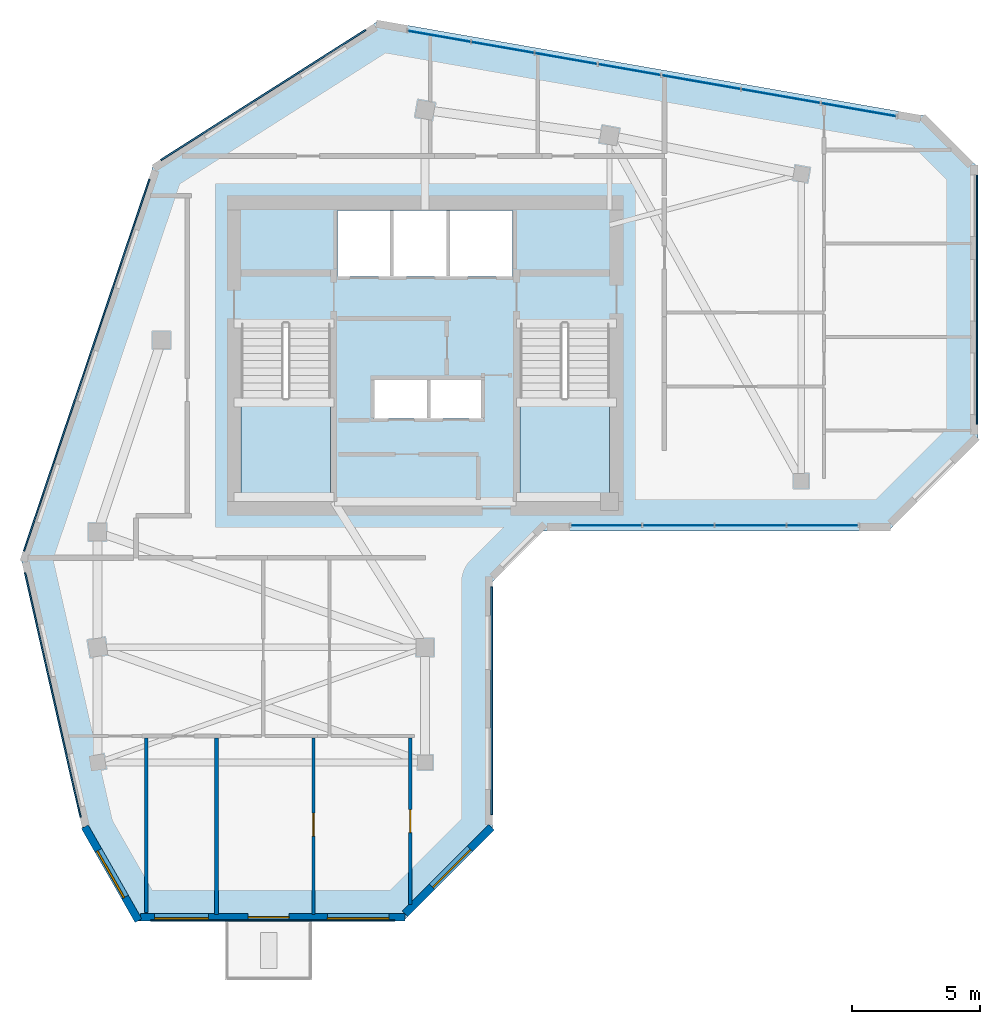
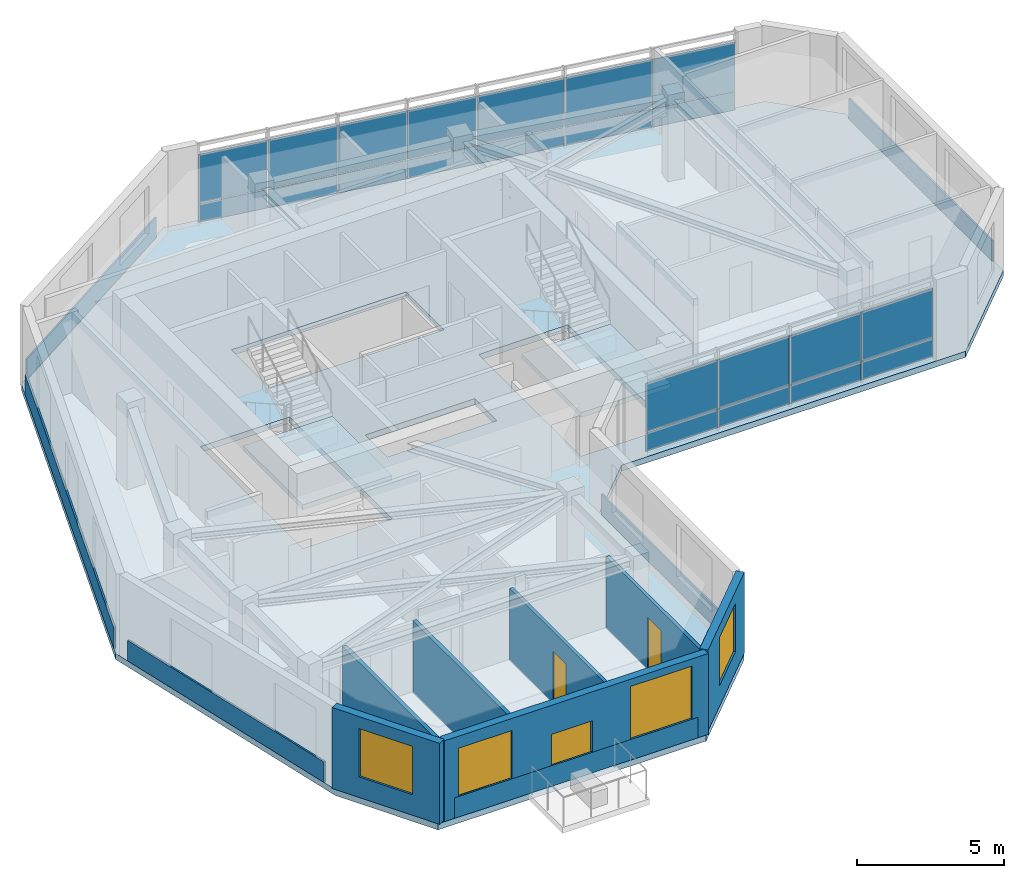
# One storey, part 3 of 10: 28 plates, 7 walls, 4 windows, 3 doors, 3 slabs, 7 openings, 4 elements without a shape of their own.
"""IFC4 building model written with IfcOpenShell, lengths in metres."""

from ifc_helpers import new_model, si_unit, direction, frame, frame_2d, origin, place, context, subcontext, project, spatial, polyline, rectangle, outline, extrude, source, transform, mapped, material, layer, layer_set, type_object, element, fill, aggregate, save


model = new_model("IFC4")

# Units and contexts
model_context = context("Model", 3, precision=1e-05, world=origin(), true_north=direction((0.0, 1.0)))
body_context = subcontext(model_context, "Body", "Model", "MODEL_VIEW")
ifc_project = project(units=[si_unit("LENGTHUNIT", "METRE"), si_unit("AREAUNIT", "SQUARE_METRE"), si_unit("VOLUMEUNIT", "CUBIC_METRE"), si_unit("PLANEANGLEUNIT", "RADIAN"), si_unit("MASSUNIT", "GRAM", prefix="KILO")], contexts=[model_context])

# Site, building, storey
site_placement = place(None, origin())
site = spatial("IfcSite", under=ifc_project, at=site_placement, CompositionType="ELEMENT")
building_placement = place(site_placement, origin())
building = spatial("IfcBuilding", under=site, at=building_placement, Name="Calvemar Wedge Station Tower", CompositionType="ELEMENT")
storey_placement = place(building_placement, frame((0.0, 0.0, 252.89990234375)))
storey = spatial("IfcBuildingStorey", under=building, at=storey_placement, Name="L64", CompositionType="ELEMENT", Elevation=252.89990234375)

# Curtain wall, plates
ifc_material_1 = material(Name="Anodised aluminium 6063-T6", Category="aluminium")
curtain_wall_type = type_object("IfcCurtainWallType", Name="CW4", PredefinedType="NOTDEFINED", material=ifc_material_1)
curtain_wall_1_placement = place(storey_placement, origin())
curtain_wall_1 = element("IfcCurtainWall", 1, at=curtain_wall_1_placement, inside=storey, type_object=curtain_wall_type, Name="Storey L64 CW4 Recessed Unitised Curtain Wall 6", PredefinedType="NOTDEFINED")
ifc_material_2 = material(Name="Low-E laminated insulated glass", Category="glass")
ifc_layer_1 = layer(ifc_material_2, 0.028076171875)
ifc_layer_set_1 = layer_set([ifc_layer_1], Name="Low-E laminated insulated glass")
plate_type_1 = type_object("IfcPlateType", Name="CW4-GLZ", PredefinedType="CURTAIN_PANEL", material=ifc_layer_set_1)
plate_1_placement = place(storey_placement, frame((29.48779296875, 33.26611328125, 0.8701171875), z_axis=(0.0, 0.0, 1.0), x_axis=(1.0, 0.0, 0.0)))
plate_1 = element("IfcPlate", 2, at=plate_1_placement, type_object=plate_type_1, Name="CW4 vision glass panel 1", PredefinedType="CURTAIN_PANEL", context=body_context, shape_type="SweptSolid", body=[
    extrude(rectangle(XDim=2.781005859375, YDim=0.028076171875, at=frame_2d((1.390625, 0.0))), origin(), (0.0, 0.0, 1.0), 2.010009765625),
])
plate_2_placement = place(storey_placement, frame((32.304931640625, 33.26611328125, 0.8701171875), z_axis=(0.0, 0.0, 1.0), x_axis=(1.0, 0.0, 0.0)))
plate_2 = element("IfcPlate", 3, at=plate_2_placement, type_object=plate_type_1, Name="CW4 vision glass panel 2", PredefinedType="CURTAIN_PANEL", context=body_context, shape_type="SweptSolid", body=[
    extrude(rectangle(XDim=2.781005859375, YDim=0.028076171875, at=frame_2d((1.390625, 0.0))), origin(), (0.0, 0.0, 1.0), 2.010009765625),
])
plate_3_placement = place(storey_placement, frame((35.121826171875, 33.26611328125, 0.8701171875), z_axis=(0.0, 0.0, 1.0), x_axis=(1.0, 0.0, 0.0)))
plate_3 = element("IfcPlate", 4, at=plate_3_placement, type_object=plate_type_1, Name="CW4 vision glass panel 3", PredefinedType="CURTAIN_PANEL", context=body_context, shape_type="SweptSolid", body=[
    extrude(rectangle(XDim=2.781005859375, YDim=0.028076171875, at=frame_2d((1.390625, 0.0))), origin(), (0.0, 0.0, 1.0), 2.010009765625),
])
plate_4_placement = place(storey_placement, frame((37.93896484375, 33.26611328125, 0.8701171875), z_axis=(0.0, 0.0, 1.0), x_axis=(1.0, 0.0, 0.0)))
plate_4 = element("IfcPlate", 5, at=plate_4_placement, type_object=plate_type_1, Name="CW4 vision glass panel 4", PredefinedType="CURTAIN_PANEL", context=body_context, shape_type="SweptSolid", body=[
    extrude(rectangle(XDim=2.781005859375, YDim=0.028076171875, at=frame_2d((1.390625, 0.0))), origin(), (0.0, 0.0, 1.0), 2.010009765625),
])

curtain_wall_2_placement = place(storey_placement, origin())
curtain_wall_2 = element("IfcCurtainWall", 6, at=curtain_wall_2_placement, inside=storey, type_object=curtain_wall_type, Name="Storey L64 CW4 Recessed Unitised Curtain Wall 10", PredefinedType="NOTDEFINED")
plate_5_placement = place(storey_placement, frame((42.2158203125, 49.25, 0.8701171875), z_axis=(0.0, 0.0, 1.0), x_axis=(-0.985039826474, 0.172326841378, 0.0)))
plate_5 = element("IfcPlate", 7, at=plate_5_placement, type_object=plate_type_1, Name="CW4 vision glass panel 1", PredefinedType="CURTAIN_PANEL", context=body_context, shape_type="SweptSolid", body=[
    extrude(rectangle(XDim=2.9892578125, YDim=0.028076171875, at=frame_2d((1.49462890625, 0.0))), origin(), (0.0, 0.0, 1.0), 2.010009765625),
])
plate_6_placement = place(storey_placement, frame((39.23583984375, 49.771484375, 0.8701171875), z_axis=(0.0, 0.0, 1.0), x_axis=(-0.985045707379, 0.172293222078, 0.0)))
plate_6 = element("IfcPlate", 8, at=plate_6_placement, type_object=plate_type_1, Name="CW4 vision glass panel 2", PredefinedType="CURTAIN_PANEL", context=body_context, shape_type="SweptSolid", body=[
    extrude(rectangle(XDim=3.12744140625, YDim=0.028076171875, at=frame_2d((1.563720703125, 0.0))), origin(), (0.0, 0.0, 1.0), 2.010009765625),
])
plate_7_placement = place(storey_placement, frame((36.119873046875, 50.31640625, 0.8701171875), z_axis=(0.0, 0.0, 1.0), x_axis=(-0.985032455421, 0.17236896985, 0.0)))
plate_7 = element("IfcPlate", 9, at=plate_7_placement, type_object=plate_type_1, Name="CW4 vision glass panel 3", PredefinedType="CURTAIN_PANEL", context=body_context, shape_type="SweptSolid", body=[
    extrude(rectangle(XDim=3.12744140625, YDim=0.028076171875, at=frame_2d((1.563720703125, 0.0))), origin(), (0.0, 0.0, 1.0), 2.010009765625),
])
plate_8_placement = place(storey_placement, frame((33.00390625, 50.861572265625, 0.8701171875), z_axis=(0.0, 0.0, 1.0), x_axis=(-0.985043436117, 0.172306206978, 0.0)))
plate_8 = element("IfcPlate", 10, at=plate_8_placement, type_object=plate_type_1, Name="CW4 vision glass panel 4", PredefinedType="CURTAIN_PANEL", context=body_context, shape_type="SweptSolid", body=[
    extrude(rectangle(XDim=2.476806640625, YDim=0.028076171875, at=frame_2d((1.23828125, 0.0))), origin(), (0.0, 0.0, 1.0), 2.010009765625),
])
plate_9_placement = place(storey_placement, frame((30.52880859375, 51.294677734375, 0.8701171875), z_axis=(0.0, 0.0, 1.0), x_axis=(-0.985040509104, 0.172322939343, 0.0)))
plate_9 = element("IfcPlate", 11, at=plate_9_placement, type_object=plate_type_1, Name="CW4 vision glass panel 5", PredefinedType="CURTAIN_PANEL", context=body_context, shape_type="SweptSolid", body=[
    extrude(rectangle(XDim=2.4765625, YDim=0.028076171875, at=frame_2d((1.23828125, 0.0))), origin(), (0.0, 0.0, 1.0), 2.010009765625),
])
plate_10_placement = place(storey_placement, frame((28.053955078125, 51.7275390625, 0.8701171875), z_axis=(0.0, 0.0, 1.0), x_axis=(-0.985028799202, 0.172389862645, 0.0)))
plate_10 = element("IfcPlate", 12, at=plate_10_placement, type_object=plate_type_1, Name="CW4 vision glass panel 6", PredefinedType="CURTAIN_PANEL", context=body_context, shape_type="SweptSolid", body=[
    extrude(rectangle(XDim=2.4853515625, YDim=0.028076171875, at=frame_2d((1.24267578125, 0.0))), origin(), (0.0, 0.0, 1.0), 2.010009765625),
])
plate_11_placement = place(storey_placement, frame((25.5703125, 52.162109375, 0.8701171875), z_axis=(0.0, 0.0, 1.0), x_axis=(-0.985039641183, 0.172327900522, 0.0)))
plate_11 = element("IfcPlate", 13, at=plate_11_placement, type_object=plate_type_1, Name="CW4 vision glass panel 7", PredefinedType="CURTAIN_PANEL", context=body_context, shape_type="SweptSolid", body=[
    extrude(rectangle(XDim=2.48486328125, YDim=0.028076171875, at=frame_2d((1.242431640625, 0.0))), origin(), (0.0, 0.0, 1.0), 2.010009765625),
])

# Plate
ifc_material_3 = material(Name="Oxidized bronze aluminium spandrel panel 5005-H24", Category="aluminium")
ifc_layer_2 = layer(ifc_material_3, 0.0400390625)
ifc_layer_set_2 = layer_set([ifc_layer_2], Name="Oxidized bronze aluminium spandrel panel 5005-H24")
plate_type_2 = type_object("IfcPlateType", Name="CW4-SPD", PredefinedType="SHEET", material=ifc_layer_set_2)
plate_12_placement = place(storey_placement, frame((29.48779296875, 33.26611328125, 0.080078125), z_axis=(0.0, 0.0, 1.0), x_axis=(1.0, 0.0, 0.0)))
plate_12 = element("IfcPlate", 14, at=plate_12_placement, type_object=plate_type_2, Name="CW4 bronze spandrel panel 1", PredefinedType="SHEET", context=body_context, shape_type="SweptSolid", body=[
    extrude(rectangle(XDim=2.781005859375, YDim=0.0400390625, at=frame_2d((1.390625, 0.0))), origin(), (0.0, 0.0, 1.0), 0.75),
])

plate_13_placement = place(storey_placement, frame((32.304931640625, 33.26611328125, 0.080078125), z_axis=(0.0, 0.0, 1.0), x_axis=(1.0, 0.0, 0.0)))
plate_13 = element("IfcPlate", 15, at=plate_13_placement, type_object=plate_type_2, Name="CW4 bronze spandrel panel 2", PredefinedType="SHEET", context=body_context, shape_type="SweptSolid", body=[
    extrude(rectangle(XDim=2.781005859375, YDim=0.0400390625, at=frame_2d((1.390625, 0.0))), origin(), (0.0, 0.0, 1.0), 0.75),
])

plate_14_placement = place(storey_placement, frame((35.121826171875, 33.26611328125, 0.080078125), z_axis=(0.0, 0.0, 1.0), x_axis=(1.0, 0.0, 0.0)))
plate_14 = element("IfcPlate", 16, at=plate_14_placement, type_object=plate_type_2, Name="CW4 bronze spandrel panel 3", PredefinedType="SHEET", context=body_context, shape_type="SweptSolid", body=[
    extrude(rectangle(XDim=2.781005859375, YDim=0.0400390625, at=frame_2d((1.390625, 0.0))), origin(), (0.0, 0.0, 1.0), 0.75),
])

plate_15_placement = place(storey_placement, frame((37.93896484375, 33.26611328125, 0.080078125), z_axis=(0.0, 0.0, 1.0), x_axis=(1.0, 0.0, 0.0)))
plate_15 = element("IfcPlate", 17, at=plate_15_placement, type_object=plate_type_2, Name="CW4 bronze spandrel panel 4", PredefinedType="SHEET", context=body_context, shape_type="SweptSolid", body=[
    extrude(rectangle(XDim=2.781005859375, YDim=0.0400390625, at=frame_2d((1.390625, 0.0))), origin(), (0.0, 0.0, 1.0), 0.75),
])

aggregate(curtain_wall_1, [plate_12, plate_1, plate_13, plate_2, plate_14, plate_3, plate_15, plate_4])

plate_16_placement = place(storey_placement, frame((42.2158203125, 49.25, 0.080078125), z_axis=(0.0, 0.0, 1.0), x_axis=(-0.985039826474, 0.172326841378, 0.0)))
plate_16 = element("IfcPlate", 18, at=plate_16_placement, type_object=plate_type_2, Name="CW4 bronze spandrel panel 1", PredefinedType="SHEET", context=body_context, shape_type="SweptSolid", body=[
    extrude(rectangle(XDim=2.9892578125, YDim=0.0400390625, at=frame_2d((1.49462890625, 0.0))), origin(), (0.0, 0.0, 1.0), 0.75),
])

plate_17_placement = place(storey_placement, frame((39.23583984375, 49.771484375, 0.080078125), z_axis=(0.0, 0.0, 1.0), x_axis=(-0.985045707379, 0.172293222078, 0.0)))
plate_17 = element("IfcPlate", 19, at=plate_17_placement, type_object=plate_type_2, Name="CW4 bronze spandrel panel 2", PredefinedType="SHEET", context=body_context, shape_type="SweptSolid", body=[
    extrude(rectangle(XDim=3.12744140625, YDim=0.0400390625, at=frame_2d((1.563720703125, 0.0))), origin(), (0.0, 0.0, 1.0), 0.75),
])

plate_18_placement = place(storey_placement, frame((36.119873046875, 50.31640625, 0.080078125), z_axis=(0.0, 0.0, 1.0), x_axis=(-0.985032455421, 0.17236896985, 0.0)))
plate_18 = element("IfcPlate", 20, at=plate_18_placement, type_object=plate_type_2, Name="CW4 bronze spandrel panel 3", PredefinedType="SHEET", context=body_context, shape_type="SweptSolid", body=[
    extrude(rectangle(XDim=3.12744140625, YDim=0.0400390625, at=frame_2d((1.563720703125, 0.0))), origin(), (0.0, 0.0, 1.0), 0.75),
])

plate_19_placement = place(storey_placement, frame((33.00390625, 50.861572265625, 0.080078125), z_axis=(0.0, 0.0, 1.0), x_axis=(-0.985043436117, 0.172306206978, 0.0)))
plate_19 = element("IfcPlate", 21, at=plate_19_placement, type_object=plate_type_2, Name="CW4 bronze spandrel panel 4", PredefinedType="SHEET", context=body_context, shape_type="SweptSolid", body=[
    extrude(rectangle(XDim=2.476806640625, YDim=0.0400390625, at=frame_2d((1.23828125, 0.0))), origin(), (0.0, 0.0, 1.0), 0.75),
])

plate_20_placement = place(storey_placement, frame((30.52880859375, 51.294677734375, 0.080078125), z_axis=(0.0, 0.0, 1.0), x_axis=(-0.985040509104, 0.172322939343, 0.0)))
plate_20 = element("IfcPlate", 22, at=plate_20_placement, type_object=plate_type_2, Name="CW4 bronze spandrel panel 5", PredefinedType="SHEET", context=body_context, shape_type="SweptSolid", body=[
    extrude(rectangle(XDim=2.4765625, YDim=0.0400390625, at=frame_2d((1.23828125, 0.0))), origin(), (0.0, 0.0, 1.0), 0.75),
])

plate_21_placement = place(storey_placement, frame((28.053955078125, 51.7275390625, 0.080078125), z_axis=(0.0, 0.0, 1.0), x_axis=(-0.985028799202, 0.172389862645, 0.0)))
plate_21 = element("IfcPlate", 23, at=plate_21_placement, type_object=plate_type_2, Name="CW4 bronze spandrel panel 6", PredefinedType="SHEET", context=body_context, shape_type="SweptSolid", body=[
    extrude(rectangle(XDim=2.4853515625, YDim=0.0400390625, at=frame_2d((1.24267578125, 0.0))), origin(), (0.0, 0.0, 1.0), 0.75),
])

plate_22_placement = place(storey_placement, frame((25.5703125, 52.162109375, 0.080078125), z_axis=(0.0, 0.0, 1.0), x_axis=(-0.985039641183, 0.172327900522, 0.0)))
plate_22 = element("IfcPlate", 24, at=plate_22_placement, type_object=plate_type_2, Name="CW4 bronze spandrel panel 7", PredefinedType="SHEET", context=body_context, shape_type="SweptSolid", body=[
    extrude(rectangle(XDim=2.48486328125, YDim=0.0400390625, at=frame_2d((1.242431640625, 0.0))), origin(), (0.0, 0.0, 1.0), 0.75),
])

aggregate(curtain_wall_2, [plate_16, plate_5, plate_17, plate_6, plate_18, plate_7, plate_19, plate_8, plate_20, plate_9, plate_21, plate_10, plate_22, plate_11])

# Plates
ifc_material_4 = material(Name="Precast concrete C45", Category="concrete")
ifc_layer_3 = layer(ifc_material_4, 0.06494140625)
ifc_layer_set_3 = layer_set([ifc_layer_3], Name="Precast concrete C45")
plate_type_3 = type_object("IfcPlateType", Name="PL-GFRC-FIN", PredefinedType="USERDEFINED", material=ifc_layer_set_3)
plate_23_placement = place(storey_placement, frame((13.077880859375, 17.830078125, 0.0), z_axis=(0.0, 0.0, 1.0), x_axis=(1.0, 0.0, 0.0)))
element("IfcPlate", 25, at=plate_23_placement, inside=storey, type_object=plate_type_3, Name="Storey L64 Oxidized-Bronze GFRC Spandrel Cladding 2", ObjectType="CLADDING PANEL", PredefinedType="USERDEFINED", context=body_context, shape_type="SweptSolid", body=[
    extrude(rectangle(XDim=9.5419921875, YDim=0.06494140625, at=frame_2d((4.77099609375, 0.0))), origin(), (0.0, 0.0, 1.0), 0.85009765625),
])
plate_24_placement = place(storey_placement, frame((26.402099609375, 21.957275390625, 0.0), z_axis=(0.0, 0.0, 1.0), x_axis=(0.0, 1.0, 0.0)))
element("IfcPlate", 26, at=plate_24_placement, inside=storey, type_object=plate_type_3, Name="Storey L64 Oxidized-Bronze GFRC Spandrel Cladding 4", ObjectType="CLADDING PANEL", PredefinedType="USERDEFINED", context=body_context, shape_type="SweptSolid", body=[
    extrude(rectangle(XDim=8.910888671875, YDim=0.06494140625, at=frame_2d((4.45556640625, 0.0))), origin(), (0.0, 0.0, 1.0), 0.85009765625),
])
plate_25_placement = place(storey_placement, frame((45.3701171875, 37.21337890625, 0.0), z_axis=(0.0, 0.0, 1.0), x_axis=(0.0, 1.0, 0.0)))
element("IfcPlate", 27, at=plate_25_placement, inside=storey, type_object=plate_type_3, Name="Storey L64 Oxidized-Bronze GFRC Spandrel Cladding 8", ObjectType="CLADDING PANEL", PredefinedType="USERDEFINED", context=body_context, shape_type="SweptSolid", body=[
    extrude(rectangle(XDim=9.73046875, YDim=0.06494140625, at=frame_2d((4.865234375, 0.0))), origin(), (0.0, 0.0, 1.0), 0.85009765625),
])
plate_26_placement = place(storey_placement, frame((21.471923828125, 52.62841796875, 0.0), z_axis=(0.0, 0.0, 1.0), x_axis=(-0.843661487732, -0.536875492193, 0.0)))
element("IfcPlate", 28, at=plate_26_placement, inside=storey, type_object=plate_type_3, Name="Storey L64 Oxidized-Bronze GFRC Spandrel Cladding 11", ObjectType="CLADDING PANEL", PredefinedType="USERDEFINED", context=body_context, shape_type="SweptSolid", body=[
    extrude(rectangle(XDim=9.482666015625, YDim=0.06494140625, at=frame_2d((4.7412109375, 0.0))), origin(), (0.0, 0.0, 1.0), 0.85009765625),
])
plate_27_placement = place(storey_placement, frame((13.02685546875, 46.793212890625, 0.0), z_axis=(0.0, 0.0, 1.0), x_axis=(-0.319927671566, -0.947441969181, 0.0)))
element("IfcPlate", 29, at=plate_27_placement, inside=storey, type_object=plate_type_3, Name="Storey L64 Oxidized-Bronze GFRC Spandrel Cladding 12", ObjectType="CLADDING PANEL", PredefinedType="USERDEFINED", context=body_context, shape_type="SweptSolid", body=[
    extrude(rectangle(XDim=15.331787109375, YDim=0.06494140625, at=frame_2d((7.666015625, 0.0))), origin(), (0.0, 0.0, 1.0), 0.85009765625),
])
plate_28_placement = place(storey_placement, frame((8.1630859375, 31.41748046875, 0.0), z_axis=(0.0, 0.0, 1.0), x_axis=(0.221645863547, -0.975127228198, 0.0)))
element("IfcPlate", 30, at=plate_28_placement, inside=storey, type_object=plate_type_3, Name="Storey L64 Oxidized-Bronze GFRC Spandrel Cladding 13", ObjectType="CLADDING PANEL", PredefinedType="USERDEFINED", context=body_context, shape_type="SweptSolid", body=[
    extrude(rectangle(XDim=9.80224609375, YDim=0.06494140625, at=frame_2d((4.901123046875, 0.0))), origin(), (0.0, 0.0, 1.0), 0.85009765625),
])

# Stair, slab
ifc_material_5 = material(Name="Concrete C45", Category="concrete")
stair_type = type_object("IfcStairType", Name="ST-TYPE-3600", PredefinedType="HALF_TURN_STAIR", material=ifc_material_5)
stair_1_placement = place(storey_placement, origin())
stair_1 = element("IfcStair", 31, at=stair_1_placement, inside=storey, type_object=stair_type, Name="L64 Pressurized Core Exit Stair ST-C1", PredefinedType="HALF_TURN_STAIR")
ifc_layer_4 = layer(ifc_material_5, 0.199951171875)
ifc_layer_set_4 = layer_set([ifc_layer_4], Name="Concrete C45")
slab_type_1 = type_object("IfcSlabType", Name="SL-STAIR-LND-200", PredefinedType="LANDING", material=ifc_layer_set_4)
slab_1_placement = place(storey_placement, frame((0.0, 0.0, 1.60009765625)))
slab_1 = element("IfcSlab", 32, at=slab_1_placement, type_object=slab_type_1, Name="ST-C1 landing 1", PredefinedType="LANDING", context=body_context, shape_type="SweptSolid", body=[
    extrude(outline(polyline([(16.60009765625, 38.25), (16.60009765625, 34.199951171875), (20.10009765625, 34.199951171875), (20.10009765625, 38.25), (16.60009765625, 38.25)])), origin(), (0.0, 0.0, 1.0), 0.199951171875),
])
aggregate(stair_1, [slab_1])

stair_2_placement = place(storey_placement, origin())
stair_2 = element("IfcStair", 33, at=stair_2_placement, inside=storey, type_object=stair_type, Name="L64 Pressurized Core Exit Stair ST-C2", PredefinedType="HALF_TURN_STAIR")
slab_2_placement = place(storey_placement, frame((0.0, 0.0, 1.60009765625)))
slab_2 = element("IfcSlab", 34, at=slab_2_placement, type_object=slab_type_1, Name="ST-C2 landing 1", PredefinedType="LANDING", context=body_context, shape_type="SweptSolid", body=[
    extrude(outline(polyline([(27.5, 38.25), (27.5, 34.199951171875), (31.0, 34.199951171875), (31.0, 38.25), (27.5, 38.25)])), origin(), (0.0, 0.0, 1.0), 0.199951171875),
])
aggregate(stair_2, [slab_2])

# Slab
ifc_material_6 = material(Name="Concrete C50", Category="concrete")
ifc_layer_5 = layer(ifc_material_6, 0.25)
ifc_layer_set_5 = layer_set([ifc_layer_5], Name="Concrete C50")
slab_type_2 = type_object("IfcSlabType", Name="SL-TYP-250", PredefinedType="FLOOR", material=ifc_layer_set_5)
slab_3_placement = place(storey_placement, frame((0.0, 0.0, -0.25)))
element("IfcSlab", 35, at=slab_3_placement, inside=storey, type_object=slab_type_2, Name="Storey L64 Structural Floor Slab", PredefinedType="FLOOR", context=body_context, shape_type="SweptSolid", body=[
    extrude(outline(polyline([(8.0, 32.0), (10.431884765625, 21.300048828125), (12.431884765625, 17.800048828125), (22.931884765625, 17.800048828125), (26.431884765625, 21.300048828125), (26.431884765625, 31.055908203125), (28.431884765625, 33.055908203125), (41.89990234375, 33.055908203125), (45.39990234375, 36.555908203125), (45.39990234375, 47.256103515625), (43.39990234375, 49.256103515625), (22.0, 53.0), (13.199951171875, 47.39990234375), (8.0, 32.0)]), holes=[polyline([(20.10009765625, 34.199951171875), (20.10009765625, 41.14990234375), (16.60009765625, 41.14990234375), (16.60009765625, 34.199951171875), (20.10009765625, 34.199951171875)]), polyline([(31.0, 34.199951171875), (31.0, 41.14990234375), (27.5, 41.14990234375), (27.5, 34.199951171875), (31.0, 34.199951171875)]), polyline([(23.929931640625, 38.949951171875), (21.7900390625, 38.949951171875), (21.7900390625, 37.449951171875), (23.929931640625, 37.449951171875), (23.93994140625, 37.449951171875), (26.080078125, 37.449951171875), (26.080078125, 38.949951171875), (23.93994140625, 38.949951171875), (23.929931640625, 38.949951171875)]), polyline([(27.219970703125, 43.0), (27.219970703125, 45.580078125), (20.3798828125, 45.580078125), (20.3798828125, 43.0), (27.219970703125, 43.0)])]), origin(), (0.0, 0.0, 1.0), 0.25),
])

# Wall, opening, window
ifc_layer_6 = layer(ifc_material_4, 0.300048828125)
ifc_layer_set_6 = layer_set([ifc_layer_6], Name="Precast concrete C45")
wall_type_1 = type_object("IfcWallType", Name="W-EXT-GFRC-300", PredefinedType="SOLIDWALL", material=ifc_layer_set_6)
wall_1_placement = place(storey_placement, frame((10.498779296875, 21.4853515625, 0.0), z_axis=(0.0, 0.0, 1.0), x_axis=(0.496163848656, -0.868228907194, 0.0)))
wall_1 = element("IfcWall", 36, at=wall_1_placement, inside=storey, type_object=wall_type_1, Name="Storey L64 Bronze GFRC Exterior Wall 1", PredefinedType="SOLIDWALL", context=body_context, shape_type="SweptSolid", body=[
    extrude(rectangle(XDim=4.221923828125, YDim=0.300048828125, at=frame_2d((2.11083984375, 0.0))), origin(), (0.0, 0.0, 1.0), 3.35009765625),
])
shared_shape_1 = source(origin(), body_context, "Body", "SweptSolid", [
    extrude(rectangle(XDim=2.10009765625, YDim=2.0, at=frame_2d((1.050048828125, 1.0))), frame((0.0, 0.16015625, 0.0), z_axis=(0.0, -1.0, 0.0), x_axis=(1.0, 0.0, 0.0)), (0.0, 0.0, 1.0), 0.320068359375),
])
opening_1_placement = place(wall_1_placement, frame((1.06103515625, 0.0, 0.85009765625)))
opening_1 = element("IfcOpeningElement", 37, at=opening_1_placement, cuts=wall_1, Name="Opening W4", PredefinedType="OPENING", context=body_context, shape_type="MappedRepresentation", body=[
    mapped(shared_shape_1, transform((0.0, 0.0, 0.0), scale=1.0)),
])
window_type_1 = type_object("IfcWindowType", Name="WIN-EXT-4", PartitioningType="SINGLE_PANEL", PredefinedType="WINDOW", material=ifc_material_2)
shared_shape_2 = source(origin(), body_context, "Body", "SweptSolid", [
    extrude(rectangle(XDim=2.10009765625, YDim=2.0, at=frame_2d((1.050048828125, 1.0))), frame((0.0, -0.014892578125, 0.0), z_axis=(0.0, -1.0, 0.0), x_axis=(1.0, 0.0, 0.0)), (0.0, 0.0, 1.0), 0.06005859375),
])
window_1_placement = place(opening_1_placement, origin())
window_1 = element("IfcWindow", 38, at=window_1_placement, inside=storey, type_object=window_type_1, Name="Storey L64 Recessed Window 1.1", OverallHeight=2.0, OverallWidth=2.10009765625, PartitioningType="SINGLE_PANEL", PredefinedType="WINDOW", context=body_context, shape_type="MappedRepresentation", body=[
    mapped(shared_shape_2, transform((0.0, 0.0, 0.0), scale=1.0)),
])
fill(opening_1, window_1)

# Wall, openings, windows, door
wall_2_placement = place(storey_placement, frame((12.677978515625, 17.949951171875, 0.0), z_axis=(0.0, 0.0, 1.0), x_axis=(1.0, 0.0, 0.0)))
wall_2 = element("IfcWall", 39, at=wall_2_placement, inside=storey, type_object=wall_type_1, Name="Storey L64 Bronze GFRC Exterior Wall 2", PredefinedType="SOLIDWALL", context=body_context, shape_type="SweptSolid", body=[
    extrude(rectangle(XDim=10.342041015625, YDim=0.300048828125, at=frame_2d((5.1708984375, 0.0))), origin(), (0.0, 0.0, 1.0), 3.35009765625),
])
shared_shape_3 = source(origin(), body_context, "Body", "SweptSolid", [
    extrude(rectangle(XDim=1.60009765625, YDim=2.14990234375, at=frame_2d((0.800048828125, 1.074951171875))), frame((0.0, 0.16015625, 0.0), z_axis=(0.0, -1.0, 0.0), x_axis=(1.0, 0.0, 0.0)), (0.0, 0.0, 1.0), 0.320068359375),
])
opening_2_placement = place(wall_2_placement, frame((4.2041015625, 0.0, 0.0)))
opening_2 = element("IfcOpeningElement", 40, at=opening_2_placement, cuts=wall_2, Name="Opening DT1", PredefinedType="OPENING", context=body_context, shape_type="MappedRepresentation", body=[
    mapped(shared_shape_3, transform((0.0, 0.0, 0.0), scale=1.0)),
])
opening_3_placement = place(wall_2_placement, frame((0.547119140625, 0.0, 0.85009765625)))
opening_3 = element("IfcOpeningElement", 41, at=opening_3_placement, cuts=wall_2, Name="Opening W4", PredefinedType="OPENING", context=body_context, shape_type="MappedRepresentation", body=[
    mapped(shared_shape_1, transform((0.0, 0.0, 0.0), scale=1.0)),
])
shared_shape_4 = source(origin(), body_context, "Body", "SweptSolid", [
    extrude(rectangle(XDim=2.39990234375, YDim=2.199951171875, at=frame_2d((1.199951171875, 1.10009765625))), frame((0.0, 0.16015625, 0.0), z_axis=(0.0, -1.0, 0.0), x_axis=(1.0, 0.0, 0.0)), (0.0, 0.0, 1.0), 0.320068359375),
])
opening_4_placement = place(wall_2_placement, frame((7.299072265625, 0.0, 0.85009765625)))
opening_4 = element("IfcOpeningElement", 42, at=opening_4_placement, cuts=wall_2, Name="Opening W1", PredefinedType="OPENING", context=body_context, shape_type="MappedRepresentation", body=[
    mapped(shared_shape_4, transform((0.0, 0.0, 0.0), scale=1.0)),
])
window_2_placement = place(opening_3_placement, origin())
window_2 = element("IfcWindow", 43, at=window_2_placement, inside=storey, type_object=window_type_1, Name="Storey L64 Recessed Window 2.1", OverallHeight=2.0, OverallWidth=2.10009765625, PartitioningType="SINGLE_PANEL", PredefinedType="WINDOW", context=body_context, shape_type="MappedRepresentation", body=[
    mapped(shared_shape_2, transform((0.0, 0.0, 0.0), scale=1.0)),
])
fill(opening_3, window_2)
window_type_2 = type_object("IfcWindowType", Name="WIN-EXT-1", PartitioningType="SINGLE_PANEL", PredefinedType="WINDOW", material=ifc_material_2)
shared_shape_5 = source(origin(), body_context, "Body", "SweptSolid", [
    extrude(rectangle(XDim=2.39990234375, YDim=2.199951171875, at=frame_2d((1.199951171875, 1.10009765625))), frame((0.0, -0.014892578125, 0.0), z_axis=(0.0, -1.0, 0.0), x_axis=(1.0, 0.0, 0.0)), (0.0, 0.0, 1.0), 0.06005859375),
])
window_3_placement = place(opening_4_placement, origin())
window_3 = element("IfcWindow", 44, at=window_3_placement, inside=storey, type_object=window_type_2, Name="Storey L64 Recessed Window 2.2", OverallHeight=2.199951171875, OverallWidth=2.39990234375, PartitioningType="SINGLE_PANEL", PredefinedType="WINDOW", context=body_context, shape_type="MappedRepresentation", body=[
    mapped(shared_shape_5, transform((0.0, 0.0, 0.0), scale=1.0)),
])
fill(opening_4, window_3)
door_type_1 = type_object("IfcDoorType", Name="DR-TERR-1600", OperationType="DOUBLE_DOOR_SLIDING", PredefinedType="DOOR", material=ifc_material_1)
shared_shape_6 = source(origin(), body_context, "Body", "SweptSolid", [
    extrude(rectangle(XDim=1.60009765625, YDim=2.14990234375, at=frame_2d((0.800048828125, 1.074951171875))), frame((0.0, 0.02490234375, 0.0), z_axis=(0.0, -1.0, 0.0), x_axis=(1.0, 0.0, 0.0)), (0.0, 0.0, 1.0), 0.050048828125),
])
door_1_placement = place(opening_2_placement, origin())
door_1 = element("IfcDoor", 45, at=door_1_placement, inside=storey, type_object=door_type_1, Name="Storey L64 Spiral Terrace Door", OperationType="DOUBLE_DOOR_SLIDING", OverallHeight=2.14990234375, OverallWidth=1.60009765625, PredefinedType="DOOR", context=body_context, shape_type="MappedRepresentation", body=[
    mapped(shared_shape_6, transform((0.0, 0.0, 0.0), scale=1.0)),
])
fill(opening_2, door_1)

# Wall, opening, window
wall_3_placement = place(storey_placement, frame((23.0078125, 18.087890625, 0.0), z_axis=(0.0, 0.0, 1.0), x_axis=(0.707106781187, 0.707106781187, 0.0)))
wall_3 = element("IfcWall", 46, at=wall_3_placement, inside=storey, type_object=wall_type_1, Name="Storey L64 Bronze GFRC Exterior Wall 3", PredefinedType="SOLIDWALL", context=body_context, shape_type="SweptSolid", body=[
    extrude(rectangle(XDim=4.780517578125, YDim=0.300048828125, at=frame_2d((2.39013671875, 0.0))), origin(), (0.0, 0.0, 1.0), 3.35009765625),
])
opening_5_placement = place(wall_3_placement, frame((1.49609375, 0.0, 0.85009765625)))
opening_5 = element("IfcOpeningElement", 47, at=opening_5_placement, cuts=wall_3, Name="Opening W4", PredefinedType="OPENING", context=body_context, shape_type="MappedRepresentation", body=[
    mapped(shared_shape_1, transform((0.0, 0.0, 0.0), scale=1.0)),
])
window_4_placement = place(opening_5_placement, origin())
window_4 = element("IfcWindow", 48, at=window_4_placement, inside=storey, type_object=window_type_1, Name="Storey L64 Recessed Window 3.1", OverallHeight=2.0, OverallWidth=2.10009765625, PartitioningType="SINGLE_PANEL", PredefinedType="WINDOW", context=body_context, shape_type="MappedRepresentation", body=[
    mapped(shared_shape_2, transform((0.0, 0.0, 0.0), scale=1.0)),
])
fill(opening_5, window_4)

# Wall, opening, door
ifc_material_7 = material(Name="Insulated acoustic gypsum stud partition")
ifc_layer_7 = layer(ifc_material_7, 0.125)
ifc_layer_set_7 = layer_set([ifc_layer_7], Name="Insulated acoustic gypsum stud partition")
wall_type_2 = type_object("IfcWallType", Name="W-PART-125", PredefinedType="PARTITIONING", material=ifc_layer_set_7)
wall_4_placement = place(storey_placement, frame((19.43408203125, 24.965576171875, 0.0), z_axis=(0.0, 0.0, 1.0), x_axis=(0.0, -1.0, 0.0)))
wall_4 = element("IfcWall", 49, at=wall_4_placement, inside=storey, type_object=wall_type_2, Name="Storey L64 Interior Partition WL-L64-048", PredefinedType="PARTITIONING", context=body_context, shape_type="SweptSolid", body=[
    extrude(rectangle(XDim=6.900634765625, YDim=0.125, at=frame_2d((3.4501953125, 0.0))), origin(), (0.0, 0.0, 1.0), 2.97900390625),
])
shared_shape_7 = source(origin(), body_context, "Body", "SweptSolid", [
    extrude(rectangle(XDim=0.89990234375, YDim=2.14990234375, at=frame_2d((0.449951171875, 1.074951171875))), frame((0.0, 0.072509765625, 0.0), z_axis=(0.0, -1.0, 0.0), x_axis=(1.0, 0.0, 0.0)), (0.0, 0.0, 1.0), 0.14501953125),
])
opening_6_placement = place(wall_4_placement, frame((2.939697265625, 0.0, 0.0)))
opening_6 = element("IfcOpeningElement", 50, at=opening_6_placement, cuts=wall_4, Name="Opening D-01", PredefinedType="OPENING", context=body_context, shape_type="MappedRepresentation", body=[
    mapped(shared_shape_7, transform((0.0, 0.0, 0.0), scale=1.0)),
])
ifc_material_8 = material(Name="Architectural hardwood acoustic swing door", Category="wood")
door_type_2 = type_object("IfcDoorType", Name="DR-INT-900", OperationType="NOTDEFINED", PredefinedType="DOOR", material=ifc_material_8)
shared_shape_8 = source(origin(), body_context, "Body", "SweptSolid", [
    extrude(rectangle(XDim=0.89990234375, YDim=2.14990234375, at=frame_2d((0.449951171875, 1.074951171875))), frame((0.0, 0.02490234375, 0.0), z_axis=(0.0, -1.0, 0.0), x_axis=(1.0, 0.0, 0.0)), (0.0, 0.0, 1.0), 0.050048828125),
])
door_2_placement = place(opening_6_placement, origin())
door_2 = element("IfcDoor", 51, at=door_2_placement, inside=storey, type_object=door_type_2, Name="L64 Bedroom Door", OperationType="SINGLE_SWING_RIGHT", OverallHeight=2.14990234375, OverallWidth=0.89990234375, PredefinedType="DOOR", context=body_context, shape_type="MappedRepresentation", body=[
    mapped(shared_shape_8, transform((0.0, 0.0, 0.0), scale=1.0)),
])
fill(opening_6, door_2)

wall_5_placement = place(storey_placement, frame((23.217041015625, 24.965576171875, 0.0), z_axis=(0.0, 0.0, 1.0), x_axis=(0.0, -1.0, 0.0)))
wall_5 = element("IfcWall", 52, at=wall_5_placement, inside=storey, type_object=wall_type_2, Name="Storey L64 Interior Partition WL-L64-049", PredefinedType="PARTITIONING", context=body_context, shape_type="SweptSolid", body=[
    extrude(rectangle(XDim=6.505859375, YDim=0.125, at=frame_2d((3.2529296875, 0.0))), origin(), (0.0, 0.0, 1.0), 2.97900390625),
])
opening_7_placement = place(wall_5_placement, frame((2.802734375, 0.0, 0.0)))
opening_7 = element("IfcOpeningElement", 53, at=opening_7_placement, cuts=wall_5, Name="Opening D-01", PredefinedType="OPENING", context=body_context, shape_type="MappedRepresentation", body=[
    mapped(shared_shape_7, transform((0.0, 0.0, 0.0), scale=1.0)),
])
door_3_placement = place(opening_7_placement, origin())
door_3 = element("IfcDoor", 54, at=door_3_placement, inside=storey, type_object=door_type_2, Name="L64 Master Bedroom Door", OperationType="SINGLE_SWING_LEFT", OverallHeight=2.14990234375, OverallWidth=0.89990234375, PredefinedType="DOOR", context=body_context, shape_type="MappedRepresentation", body=[
    mapped(shared_shape_8, transform((0.0, 0.0, 0.0), scale=1.0)),
])
fill(opening_7, door_3)

# Walls
ifc_material_9 = material(Name="Moisture-resistant acoustic bathroom partition")
ifc_layer_8 = layer(ifc_material_9, 0.14990234375)
ifc_layer_set_8 = layer_set([ifc_layer_8], Name="Moisture-resistant acoustic bathroom partition")
wall_type_3 = type_object("IfcWallType", Name="W-WET-150", PredefinedType="PARTITIONING", material=ifc_layer_set_8)
wall_6_placement = place(storey_placement, frame((12.89990234375, 18.135009765625, 0.0), z_axis=(0.0, 0.0, 1.0), x_axis=(0.0, 1.0, 0.0)))
element("IfcWall", 55, at=wall_6_placement, inside=storey, type_object=wall_type_3, Name="Storey L64 Interior Partition WL-L64-046", PredefinedType="PARTITIONING", context=body_context, shape_type="SweptSolid", body=[
    extrude(rectangle(XDim=6.81787109375, YDim=0.14990234375, at=frame_2d((3.408935546875, 0.0))), origin(), (0.0, 0.0, 1.0), 2.879150390625),
])
wall_7_placement = place(storey_placement, frame((15.64990234375, 24.952880859375, 0.0), z_axis=(0.0, 0.0, 1.0), x_axis=(0.0, -1.0, 0.0)))
element("IfcWall", 56, at=wall_7_placement, inside=storey, type_object=wall_type_3, Name="Storey L64 Interior Partition WL-L64-047", PredefinedType="PARTITIONING", context=body_context, shape_type="SweptSolid", body=[
    extrude(rectangle(XDim=6.887939453125, YDim=0.14990234375, at=frame_2d((3.44384765625, 0.0))), origin(), (0.0, 0.0, 1.0), 2.97900390625),
])

save(model, "model.ifc")
